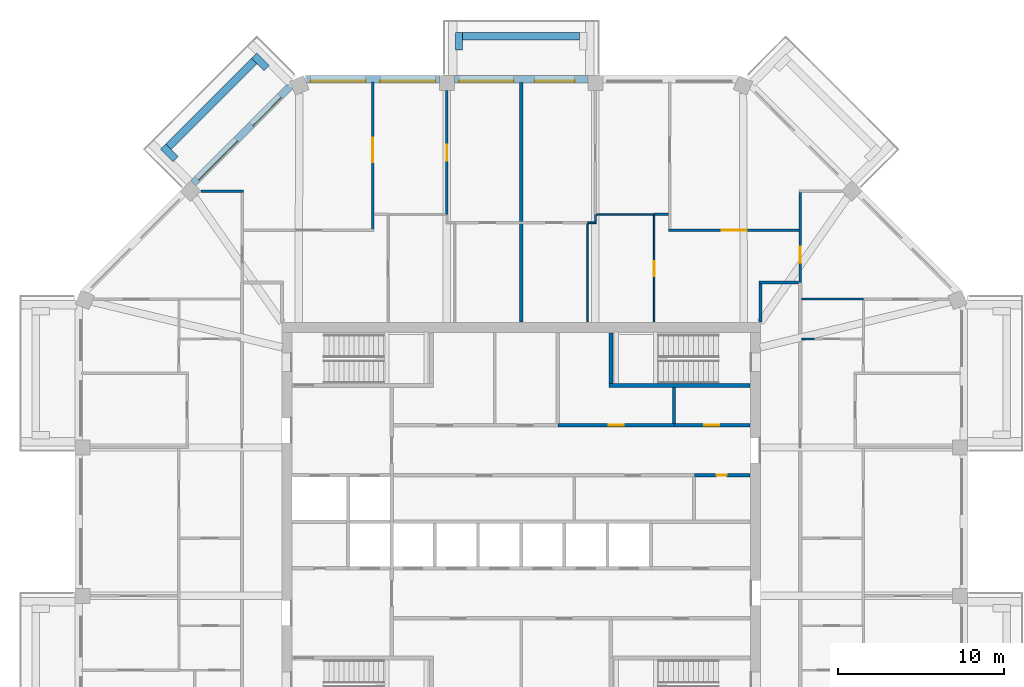
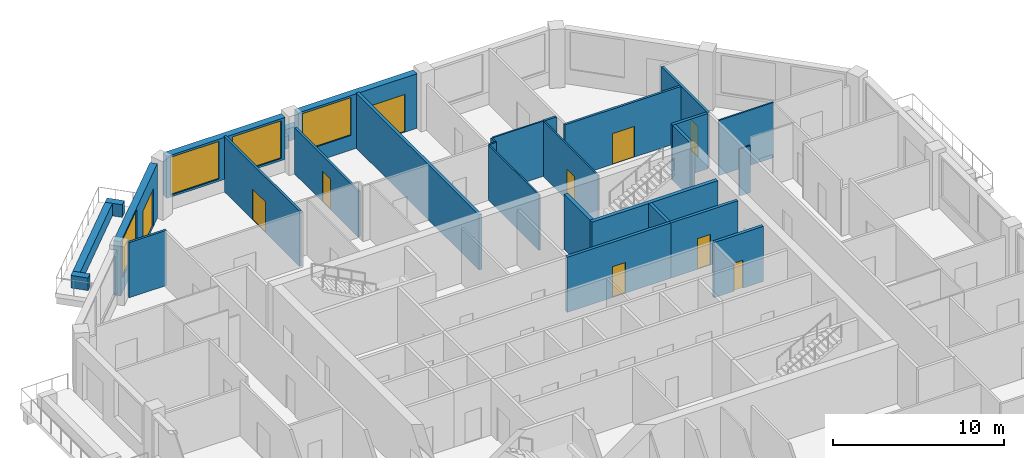
# One storey, part 8 of 12: 30 walls, 10 doors, 4 windows, 14 openings.
"""IFC4 building model written with IfcOpenShell, lengths in metres."""

from ifc_helpers import new_model, si_unit, direction, frame, frame_2d, origin, place, context, subcontext, project, spatial, rectangle, extrude, material, layer, layer_set, type_object, element, fill, save


model = new_model("IFC4")

# Units and contexts
model_context = context("Model", 3, precision=1e-05, world=origin(), true_north=direction((0.0, 1.0)))
body_context = subcontext(model_context, "Body", "Model", "MODEL_VIEW")
ifc_project = project(units=[si_unit("LENGTHUNIT", "METRE"), si_unit("AREAUNIT", "SQUARE_METRE"), si_unit("VOLUMEUNIT", "CUBIC_METRE"), si_unit("PLANEANGLEUNIT", "RADIAN"), si_unit("MASSUNIT", "GRAM", prefix="KILO")], contexts=[model_context])

# Site, building, storey
site_placement = place(None, origin())
site = spatial("IfcSite", under=ifc_project, at=site_placement, CompositionType="ELEMENT")
building_placement = place(site_placement, origin())
building = spatial("IfcBuilding", under=site, at=building_placement, Name="Msitu Wima Residences", CompositionType="ELEMENT")
storey_placement = place(building_placement, frame((0.0, 0.0, 239.10009765625)))
storey = spatial("IfcBuildingStorey", under=building, at=storey_placement, Name="L55", CompositionType="ELEMENT", Elevation=239.10009765625)

# Walls
ifc_material_1 = material(Name="Facing brick")
ifc_layer_1 = layer(ifc_material_1, 0.06494140625, Name="Facing brick")
ifc_material_2 = material(Name="Concrete C40/50", Category="concrete")
ifc_layer_2 = layer(ifc_material_2, 0.156005859375, Name="Concrete C40/50")
ifc_material_3 = material(Name="Waterproofing membrane")
ifc_layer_3 = layer(ifc_material_3, 0.00390625, Name="Waterproofing membrane")
ifc_material_4 = material(Name="Planting soil and planting")
ifc_layer_4 = layer(ifc_material_4, 0.22509765625, Name="Planting soil and planting")
ifc_layer_set_1 = layer_set([ifc_layer_1, ifc_layer_2, ifc_layer_3, ifc_layer_4], Name="Concrete C40/50")
wall_type_1 = type_object("IfcWallType", Name="Balcony planter PLANTER PL450", PredefinedType="USERDEFINED", material=ifc_layer_set_1)
wall_1_placement = place(storey_placement, frame((3.5185546875, 29.22509765625, 0.0), z_axis=(0.0, 0.0, 1.0), x_axis=(-1.0, 0.0, 0.0)))
element("IfcWall", 1, at=wall_1_placement, inside=storey, type_object=wall_type_1, Name="Balcony planter N1 L55", ObjectType="PLANTER", PredefinedType="USERDEFINED", context=body_context, shape_type="SweptSolid", body=[
    extrude(rectangle(XDim=7.037109375, YDim=0.449951171875, at=frame_2d((3.5185546875, 0.0))), origin(), (0.0, 0.0, 1.0), 0.89990234375),
])
wall_2_placement = place(storey_placement, frame((-3.74365234375, 28.39990234375, 0.0), z_axis=(0.0, 0.0, 1.0), x_axis=(0.0, 1.0, 0.0)))
element("IfcWall", 2, at=wall_2_placement, inside=storey, type_object=wall_type_1, Name="Balcony planter N1 L55", ObjectType="PLANTER", PredefinedType="USERDEFINED", context=body_context, shape_type="SweptSolid", body=[
    extrude(rectangle(XDim=1.050048828125, YDim=0.449951171875, at=frame_2d((0.52490234375, 0.0))), origin(), (0.0, 0.0, 1.0), 0.89990234375),
])
wall_3_placement = place(storey_placement, frame((-16.0751953125, 27.725830078125, 0.0), z_axis=(0.0, 0.0, 1.0), x_axis=(-0.707106781187, -0.707106781187, 0.0)))
element("IfcWall", 3, at=wall_3_placement, inside=storey, type_object=wall_type_1, Name="Balcony planter NW0 L55", ObjectType="PLANTER", PredefinedType="USERDEFINED", context=body_context, shape_type="SweptSolid", body=[
    extrude(rectangle(XDim=7.288330078125, YDim=0.449951171875, at=frame_2d((3.64404296875, 0.0))), origin(), (0.0, 0.0, 1.0), 0.89990234375),
])
for number, where, z_axis, x_axis, name in (
    (4, (-15.332763671875, 27.301513671875, 0.0), (0.0, 0.0, 1.0), (-0.707106781187, 0.707106781187, 0.0), "Balcony planter NW0 L55"),
    (5, (-20.804443359375, 21.829833984375, 0.0), (0.0, 0.0, 1.0), (-0.707106781187, 0.707106781187, 0.0), "Balcony planter NW0 L55"),
):
    element("IfcWall", number, at=place(storey_placement, frame(where, z_axis=z_axis, x_axis=x_axis)), inside=storey, type_object=wall_type_1, Name=name, ObjectType="PLANTER", PredefinedType="USERDEFINED", context=body_context, shape_type="SweptSolid", body=[
        extrude(rectangle(XDim=1.050048828125, YDim=0.449951171875, at=frame_2d((0.52490234375, 0.0))), origin(), (0.0, 0.0, 1.0), 0.89990234375),
    ])

# Wall, openings, door, window
ifc_material_5 = material(Name="Brick (red buff mix)", Category="masonry")
ifc_layer_5 = layer(ifc_material_5, 0.449951171875)
ifc_layer_set_2 = layer_set([ifc_layer_5], Name="Brick (red buff mix)")
wall_type_2 = type_object("IfcWallType", Name="Brick infill wall BW450", PredefinedType="SOLIDWALL", material=ifc_layer_set_2)
wall_4_placement = place(storey_placement, frame((4.0185546875, 26.625, 0.0), z_axis=(0.0, 0.0, 1.0), x_axis=(-1.0, 0.0, 0.0)))
wall_4 = element("IfcWall", 6, at=wall_4_placement, inside=storey, type_object=wall_type_2, Name="Brick infill wall L55 N1", PredefinedType="SOLIDWALL", context=body_context, shape_type="SweptSolid", body=[
    extrude(rectangle(XDim=8.037109375, YDim=0.449951171875, at=frame_2d((4.0185546875, 0.0))), origin(), (0.0, 0.0, 1.0), 3.89990234375),
])
opening_1_placement = place(wall_4_placement, frame((0.809326171875, 0.0, 0.0)))
opening_1 = element("IfcOpeningElement", 7, at=opening_1_placement, cuts=wall_4, Name="Opening D55-56.003", PredefinedType="OPENING", context=body_context, shape_type="SweptSolid", body=[
    extrude(rectangle(XDim=2.39990234375, YDim=2.699951171875, at=frame_2d((1.199951171875, 1.35009765625))), frame((0.0, 0.23486328125, 0.0), z_axis=(0.0, -1.0, 0.0), x_axis=(1.0, 0.0, 0.0)), (0.0, 0.0, 1.0), 0.469970703125),
])
opening_2_placement = place(wall_4_placement, frame((4.46875, 0.0, 1.050048828125)))
opening_2 = element("IfcOpeningElement", 8, at=opening_2_placement, cuts=wall_4, Name="Opening W55-56.007", PredefinedType="OPENING", context=body_context, shape_type="SweptSolid", body=[
    extrude(rectangle(XDim=3.300048828125, YDim=2.699951171875, at=frame_2d((1.64990234375, 1.35009765625))), frame((0.0, 0.23486328125, 0.0), z_axis=(0.0, -1.0, 0.0), x_axis=(1.0, 0.0, 0.0)), (0.0, 0.0, 1.0), 0.469970703125),
])
ifc_material_6 = material(Name="Anodised aluminium, bronze finish, clear low-emissivity double glazing", Category="aluminium")
door_type_1 = type_object("IfcDoorType", Name="Balcony door D2400x2700", OperationType="SLIDING_TO_LEFT", PredefinedType="DOOR", material=ifc_material_6)
door_1_placement = place(opening_1_placement, origin())
door_1 = element("IfcDoor", 9, at=door_1_placement, inside=storey, type_object=door_type_1, Name="Balcony door L55 N1", OperationType="SINGLE_SWING_LEFT", OverallHeight=2.699951171875, OverallWidth=2.39990234375, PredefinedType="DOOR", context=body_context, shape_type="SweptSolid", body=[
    extrude(rectangle(XDim=2.39990234375, YDim=2.699951171875, at=frame_2d((1.199951171875, 1.35009765625))), frame((0.0, 0.1298828125, 0.0), z_axis=(0.0, -1.0, 0.0), x_axis=(1.0, 0.0, 0.0)), (0.0, 0.0, 1.0), 0.050048828125),
])
fill(opening_1, door_1)
window_type = type_object("IfcWindowType", Name="Window W3300x2700", PartitioningType="DOUBLE_PANEL_VERTICAL", PredefinedType="WINDOW", material=ifc_material_6)
window_1_placement = place(opening_2_placement, origin())
window_1 = element("IfcWindow", 10, at=window_1_placement, inside=storey, type_object=window_type, Name="Window L55 N1.2", OverallHeight=2.699951171875, OverallWidth=3.300048828125, PartitioningType="SINGLE_PANEL", PredefinedType="WINDOW", context=body_context, shape_type="SweptSolid", body=[
    extrude(rectangle(XDim=3.300048828125, YDim=2.699951171875, at=frame_2d((1.64990234375, 1.35009765625))), frame((0.0, 0.135009765625, 0.0), z_axis=(0.0, -1.0, 0.0), x_axis=(1.0, 0.0, 0.0)), (0.0, 0.0, 1.0), 0.06005859375),
])
fill(opening_2, window_1)

# Wall, openings, windows
wall_5_placement = place(storey_placement, frame((-4.918701171875, 26.625, 0.89990234375), z_axis=(0.0, 0.0, 1.0), x_axis=(-1.0, 0.0, 0.0)))
wall_5 = element("IfcWall", 11, at=wall_5_placement, inside=storey, type_object=wall_type_2, Name="Brick infill wall L55 N2", PredefinedType="SOLIDWALL", context=body_context, shape_type="SweptSolid", body=[
    extrude(rectangle(XDim=8.0, YDim=0.449951171875, at=frame_2d((4.0, 0.0))), origin(), (0.0, 0.0, 1.0), 3.0),
])
opening_3_placement = place(wall_5_placement, frame((0.25, 0.0, 0.14990234375)))
opening_3 = element("IfcOpeningElement", 12, at=opening_3_placement, cuts=wall_5, Name="Opening W55-56.008", PredefinedType="OPENING", context=body_context, shape_type="SweptSolid", body=[
    extrude(rectangle(XDim=3.300048828125, YDim=2.699951171875, at=frame_2d((1.64990234375, 1.35009765625))), frame((0.0, 0.23486328125, 0.0), z_axis=(0.0, -1.0, 0.0), x_axis=(1.0, 0.0, 0.0)), (0.0, 0.0, 1.0), 0.469970703125),
])
opening_4_placement = place(wall_5_placement, frame((4.4501953125, 0.0, 0.14990234375)))
opening_4 = element("IfcOpeningElement", 13, at=opening_4_placement, cuts=wall_5, Name="Opening W55-56.009", PredefinedType="OPENING", context=body_context, shape_type="SweptSolid", body=[
    extrude(rectangle(XDim=3.300048828125, YDim=2.699951171875, at=frame_2d((1.64990234375, 1.35009765625))), frame((0.0, 0.23486328125, 0.0), z_axis=(0.0, -1.0, 0.0), x_axis=(1.0, 0.0, 0.0)), (0.0, 0.0, 1.0), 0.469970703125),
])
window_2_placement = place(opening_3_placement, origin())
window_2 = element("IfcWindow", 14, at=window_2_placement, inside=storey, type_object=window_type, Name="Window L55 N2.1", OverallHeight=2.699951171875, OverallWidth=3.300048828125, PartitioningType="SINGLE_PANEL", PredefinedType="WINDOW", context=body_context, shape_type="SweptSolid", body=[
    extrude(rectangle(XDim=3.300048828125, YDim=2.699951171875, at=frame_2d((1.64990234375, 1.35009765625))), frame((0.0, 0.135009765625, 0.0), z_axis=(0.0, -1.0, 0.0), x_axis=(1.0, 0.0, 0.0)), (0.0, 0.0, 1.0), 0.06005859375),
])
fill(opening_3, window_2)
window_3_placement = place(opening_4_placement, origin())
window_3 = element("IfcWindow", 15, at=window_3_placement, inside=storey, type_object=window_type, Name="Window L55 N2.2", OverallHeight=2.699951171875, OverallWidth=3.300048828125, PartitioningType="SINGLE_PANEL", PredefinedType="WINDOW", context=body_context, shape_type="SweptSolid", body=[
    extrude(rectangle(XDim=3.300048828125, YDim=2.699951171875, at=frame_2d((1.64990234375, 1.35009765625))), frame((0.0, 0.135009765625, 0.0), z_axis=(0.0, -1.0, 0.0), x_axis=(1.0, 0.0, 0.0)), (0.0, 0.0, 1.0), 0.06005859375),
])
fill(opening_4, window_3)

# Wall, openings, door, window
wall_6_placement = place(storey_placement, frame((-13.909423828125, 26.214599609375, 0.0), z_axis=(0.0, 0.0, 1.0), x_axis=(-0.707106781187, -0.707106781187, 0.0)))
wall_6 = element("IfcWall", 16, at=wall_6_placement, inside=storey, type_object=wall_type_2, Name="Brick infill wall L55 NW0", PredefinedType="SOLIDWALL", context=body_context, shape_type="SweptSolid", body=[
    extrude(rectangle(XDim=8.251220703125, YDim=0.449951171875, at=frame_2d((4.12548828125, 0.0))), origin(), (0.0, 0.0, 1.0), 3.89990234375),
])
opening_5_placement = place(wall_6_placement, frame((0.86279296875, 0.0, 0.0)))
opening_5 = element("IfcOpeningElement", 17, at=opening_5_placement, cuts=wall_6, Name="Opening D55-56.005", PredefinedType="OPENING", context=body_context, shape_type="SweptSolid", body=[
    extrude(rectangle(XDim=2.39990234375, YDim=2.699951171875, at=frame_2d((1.199951171875, 1.35009765625))), frame((0.0, 0.23486328125, 0.0), z_axis=(0.0, -1.0, 0.0), x_axis=(1.0, 0.0, 0.0)), (0.0, 0.0, 1.0), 0.469970703125),
])
opening_6_placement = place(wall_6_placement, frame((4.57568359375, 0.0, 1.050048828125)))
opening_6 = element("IfcOpeningElement", 18, at=opening_6_placement, cuts=wall_6, Name="Opening W55-56.013", PredefinedType="OPENING", context=body_context, shape_type="SweptSolid", body=[
    extrude(rectangle(XDim=3.300048828125, YDim=2.699951171875, at=frame_2d((1.64990234375, 1.35009765625))), frame((0.0, 0.23486328125, 0.0), z_axis=(0.0, -1.0, 0.0), x_axis=(1.0, 0.0, 0.0)), (0.0, 0.0, 1.0), 0.469970703125),
])
door_2_placement = place(opening_5_placement, origin())
door_2 = element("IfcDoor", 19, at=door_2_placement, inside=storey, type_object=door_type_1, Name="Balcony door L55 NW0", OperationType="SINGLE_SWING_LEFT", OverallHeight=2.699951171875, OverallWidth=2.39990234375, PredefinedType="DOOR", context=body_context, shape_type="SweptSolid", body=[
    extrude(rectangle(XDim=2.39990234375, YDim=2.699951171875, at=frame_2d((1.199951171875, 1.35009765625))), frame((0.0, 0.1298828125, 0.0), z_axis=(0.0, -1.0, 0.0), x_axis=(1.0, 0.0, 0.0)), (0.0, 0.0, 1.0), 0.050048828125),
])
fill(opening_5, door_2)
window_4_placement = place(opening_6_placement, origin())
window_4 = element("IfcWindow", 20, at=window_4_placement, inside=storey, type_object=window_type, Name="Window L55 NW0.2", OverallHeight=2.699951171875, OverallWidth=3.300048828125, PartitioningType="SINGLE_PANEL", PredefinedType="WINDOW", context=body_context, shape_type="SweptSolid", body=[
    extrude(rectangle(XDim=3.300048828125, YDim=2.699951171875, at=frame_2d((1.64990234375, 1.35009765625))), frame((0.0, 0.135009765625, 0.0), z_axis=(0.0, -1.0, 0.0), x_axis=(1.0, 0.0, 0.0)), (0.0, 0.0, 1.0), 0.06005859375),
])
fill(opening_6, window_4)

# Wall, opening, door
ifc_material_7 = material(Name="Plaster")
ifc_layer_6 = layer(ifc_material_7, 0.011962890625, Name="Plaster")
ifc_material_8 = material(Name="Concrete blockwork", Category="masonry")
ifc_layer_7 = layer(ifc_material_8, 0.176025390625, Name="Concrete blockwork")
ifc_layer_8 = layer(ifc_material_7, 0.011962890625, Name="Plaster")
ifc_layer_set_3 = layer_set([ifc_layer_6, ifc_layer_7, ifc_layer_8], Name="Concrete blockwork")
wall_type_3 = type_object("IfcWallType", Name="Corridor wall FW200", PredefinedType="PARTITIONING", material=ifc_layer_set_3)
wall_7_placement = place(storey_placement, frame((9.219970703125, 5.800048828125, 0.0), z_axis=(0.0, 0.0, 1.0), x_axis=(1.0, 0.0, 0.0)))
wall_7 = element("IfcWall", 21, at=wall_7_placement, inside=storey, type_object=wall_type_3, Name="Corridor wall", PredefinedType="PARTITIONING", context=body_context, shape_type="SweptSolid", body=[
    extrude(rectangle(XDim=4.550048828125, YDim=0.199951171875, at=frame_2d((2.27490234375, 0.0))), origin(), (0.0, 0.0, 1.0), 3.949951171875),
])
opening_7_placement = place(wall_7_placement, frame((1.800048828125, 0.0, 0.0)))
opening_7 = element("IfcOpeningElement", 22, at=opening_7_placement, cuts=wall_7, Name="Opening D55-56.067", PredefinedType="OPENING", context=body_context, shape_type="SweptSolid", body=[
    extrude(rectangle(XDim=0.89990234375, YDim=2.199951171875, at=frame_2d((0.449951171875, 1.10009765625))), frame((0.0, 0.10986328125, 0.0), z_axis=(0.0, -1.0, 0.0), x_axis=(1.0, 0.0, 0.0)), (0.0, 0.0, 1.0), 0.219970703125),
])
ifc_material_9 = material(Name="Timber flush door", Category="wood")
door_type_2 = type_object("IfcDoorType", Name="Service door D05 900x2200", OperationType="SINGLE_SWING_LEFT", PredefinedType="DOOR", material=ifc_material_9)
door_3_placement = place(opening_7_placement, origin())
door_3 = element("IfcDoor", 23, at=door_3_placement, inside=storey, type_object=door_type_2, Name="Service door", OperationType="SINGLE_SWING_LEFT", OverallHeight=2.199951171875, OverallWidth=0.89990234375, PredefinedType="DOOR", context=body_context, shape_type="SweptSolid", body=[
    extrude(rectangle(XDim=0.89990234375, YDim=2.199951171875, at=frame_2d((0.449951171875, 1.10009765625))), frame((0.0, 0.02490234375, 0.0), z_axis=(0.0, -1.0, 0.0), x_axis=(1.0, 0.0, 0.0)), (0.0, 0.0, 1.0), 0.050048828125),
])
fill(opening_7, door_3)

# Walls
wall_8_placement = place(storey_placement, frame((14.39990234375, 12.030029296875, 0.0), z_axis=(0.0, 0.0, 1.0), x_axis=(0.0, 1.0, 0.0)))
element("IfcWall", 24, at=wall_8_placement, inside=storey, type_object=wall_type_3, Name="Corridor wall", PredefinedType="PARTITIONING", context=body_context, shape_type="SweptSolid", body=[
    extrude(rectangle(XDim=2.27001953125, YDim=0.199951171875, at=frame_2d((1.135009765625, 0.0))), origin(), (0.0, 0.0, 1.0), 3.949951171875),
])
wall_9_placement = place(storey_placement, frame((14.300048828125, 14.39990234375, 0.0), z_axis=(0.0, 0.0, 1.0), x_axis=(1.0, 0.0, 0.0)))
element("IfcWall", 25, at=wall_9_placement, inside=storey, type_object=wall_type_3, Name="Corridor wall", PredefinedType="PARTITIONING", context=body_context, shape_type="SweptSolid", body=[
    extrude(rectangle(XDim=2.39990234375, YDim=0.199951171875, at=frame_2d((1.199951171875, 0.0))), origin(), (0.0, 0.0, 1.0), 3.949951171875),
])
ifc_layer_9 = layer(ifc_material_7, 0.011962890625, Name="Plaster")
ifc_layer_10 = layer(ifc_material_8, 0.1259765625, Name="Concrete blockwork")
ifc_layer_11 = layer(ifc_material_7, 0.011962890625, Name="Plaster")
ifc_layer_set_4 = layer_set([ifc_layer_9, ifc_layer_10, ifc_layer_11], Name="Concrete blockwork")
wall_type_4 = type_object("IfcWallType", Name="Partition PW150", PredefinedType="PARTITIONING", material=ifc_layer_set_4)
wall_10_placement = place(storey_placement, frame((-19.2666015625, 19.90283203125, 0.0), z_axis=(0.0, 0.0, 1.0), x_axis=(1.0, 0.0, 0.0)))
element("IfcWall", 26, at=wall_10_placement, inside=storey, type_object=wall_type_4, Name="Partition", PredefinedType="PARTITIONING", context=body_context, shape_type="SweptSolid", body=[
    extrude(rectangle(XDim=2.54150390625, YDim=0.14990234375, at=frame_2d((1.270751953125, 0.0))), origin(), (0.0, 0.0, 1.0), 3.949951171875),
])

# Wall, opening, door
wall_11_placement = place(storey_placement, frame((-8.937255859375, 17.625, 0.0), z_axis=(0.0, 0.0, 1.0), x_axis=(0.0, 1.0, 0.0)))
wall_11 = element("IfcWall", 27, at=wall_11_placement, inside=storey, type_object=wall_type_4, Name="Partition", PredefinedType="PARTITIONING", context=body_context, shape_type="SweptSolid", body=[
    extrude(rectangle(XDim=8.830078125, YDim=0.14990234375, at=frame_2d((4.4150390625, 0.0))), origin(), (0.0, 0.0, 1.0), 3.949951171875),
])
opening_8_placement = place(wall_11_placement, frame((4.0, 0.0, 0.0)))
opening_8 = element("IfcOpeningElement", 28, at=opening_8_placement, cuts=wall_11, Name="Opening D55-56.039", PredefinedType="OPENING", context=body_context, shape_type="SweptSolid", body=[
    extrude(rectangle(XDim=1.5, YDim=2.199951171875, at=frame_2d((0.75, 1.10009765625))), frame((0.0, 0.0849609375, 0.0), z_axis=(0.0, -1.0, 0.0), x_axis=(1.0, 0.0, 0.0)), (0.0, 0.0, 1.0), 0.169921875),
])
ifc_material_10 = material(Name="Timber double door", Category="wood")
door_type_3 = type_object("IfcDoorType", Name="Double door D04 1500x2200", OperationType="DOUBLE_DOOR_SINGLE_SWING", PredefinedType="DOOR", material=ifc_material_10)
door_4_placement = place(opening_8_placement, origin())
door_4 = element("IfcDoor", 29, at=door_4_placement, inside=storey, type_object=door_type_3, Name="Double door", OperationType="DOUBLE_DOOR_SINGLE_SWING", OverallHeight=2.199951171875, OverallWidth=1.5, PredefinedType="DOOR", context=body_context, shape_type="SweptSolid", body=[
    extrude(rectangle(XDim=1.5, YDim=2.199951171875, at=frame_2d((0.75, 1.10009765625))), frame((0.0, 0.02490234375, 0.0), z_axis=(0.0, -1.0, 0.0), x_axis=(1.0, 0.0, 0.0)), (0.0, 0.0, 1.0), 0.050048828125),
])
fill(opening_8, door_4)

wall_12_placement = place(storey_placement, frame((-4.46875, 18.47998046875, 0.0), z_axis=(0.0, 0.0, 1.0), x_axis=(0.0, 1.0, 0.0)))
wall_12 = element("IfcWall", 30, at=wall_12_placement, inside=storey, type_object=wall_type_4, Name="Partition", PredefinedType="PARTITIONING", context=body_context, shape_type="SweptSolid", body=[
    extrude(rectangle(XDim=7.469970703125, YDim=0.14990234375, at=frame_2d((3.73486328125, 0.0))), origin(), (0.0, 0.0, 1.0), 3.2998046875),
])
opening_9_placement = place(wall_12_placement, frame((3.25, 0.0, 0.0)))
opening_9 = element("IfcOpeningElement", 31, at=opening_9_placement, cuts=wall_12, Name="Opening D55-56.042", PredefinedType="OPENING", context=body_context, shape_type="SweptSolid", body=[
    extrude(rectangle(XDim=0.949951171875, YDim=2.199951171875, at=frame_2d((0.47509765625, 1.10009765625))), frame((0.0, 0.0849609375, 0.0), z_axis=(0.0, -1.0, 0.0), x_axis=(1.0, 0.0, 0.0)), (0.0, 0.0, 1.0), 0.169921875),
])
door_type_4 = type_object("IfcDoorType", Name="Room door D12 950x2200", OperationType="SINGLE_SWING_LEFT", PredefinedType="DOOR", material=ifc_material_9)
door_5_placement = place(opening_9_placement, origin())
door_5 = element("IfcDoor", 32, at=door_5_placement, inside=storey, type_object=door_type_4, Name="Room door", OperationType="SINGLE_SWING_RIGHT", OverallHeight=2.199951171875, OverallWidth=0.949951171875, PredefinedType="DOOR", context=body_context, shape_type="SweptSolid", body=[
    extrude(rectangle(XDim=0.949951171875, YDim=2.199951171875, at=frame_2d((0.47509765625, 1.10009765625))), frame((0.0, 0.02490234375, 0.0), z_axis=(0.0, -1.0, 0.0), x_axis=(1.0, 0.0, 0.0)), (0.0, 0.0, 1.0), 0.050048828125),
])
fill(opening_9, door_5)

# Wall
wall_13_placement = place(storey_placement, frame((8.0, 18.5, 0.0), z_axis=(0.0, 0.0, 1.0), x_axis=(1.0, 0.0, 0.0)))
element("IfcWall", 33, at=wall_13_placement, inside=storey, type_object=wall_type_4, Name="Partition", PredefinedType="PARTITIONING", context=body_context, shape_type="SweptSolid", body=[
    extrude(rectangle(XDim=0.8623046875, YDim=0.14990234375, at=frame_2d((0.43115234375, 0.0))), origin(), (0.0, 0.0, 1.0), 3.949951171875),
])

# Wall, opening, door
wall_14_placement = place(storey_placement, frame((8.8623046875, 17.550048828125, 0.0), z_axis=(0.0, 0.0, 1.0), x_axis=(1.0, 0.0, 0.0)))
wall_14 = element("IfcWall", 34, at=wall_14_placement, inside=storey, type_object=wall_type_4, Name="Partition", PredefinedType="PARTITIONING", context=body_context, shape_type="SweptSolid", body=[
    extrude(rectangle(XDim=7.86279296875, YDim=0.14990234375, at=frame_2d((3.931396484375, 0.0))), origin(), (0.0, 0.0, 1.0), 3.949951171875),
])
opening_10_placement = place(wall_14_placement, frame((3.199951171875, 0.0, 0.0)))
opening_10 = element("IfcOpeningElement", 35, at=opening_10_placement, cuts=wall_14, Name="Opening D55-56.033", PredefinedType="OPENING", context=body_context, shape_type="SweptSolid", body=[
    extrude(rectangle(XDim=1.5, YDim=2.199951171875, at=frame_2d((0.75, 1.10009765625))), frame((0.0, 0.0849609375, 0.0), z_axis=(0.0, -1.0, 0.0), x_axis=(1.0, 0.0, 0.0)), (0.0, 0.0, 1.0), 0.169921875),
])
door_6_placement = place(opening_10_placement, origin())
door_6 = element("IfcDoor", 36, at=door_6_placement, inside=storey, type_object=door_type_3, Name="Double door", OperationType="DOUBLE_DOOR_SINGLE_SWING", OverallHeight=2.199951171875, OverallWidth=1.5, PredefinedType="DOOR", context=body_context, shape_type="SweptSolid", body=[
    extrude(rectangle(XDim=1.5, YDim=2.199951171875, at=frame_2d((0.75, 1.10009765625))), frame((0.0, 0.02490234375, 0.0), z_axis=(0.0, -1.0, 0.0), x_axis=(1.0, 0.0, 0.0)), (0.0, 0.0, 1.0), 0.050048828125),
])
fill(opening_10, door_6)

wall_15_placement = place(storey_placement, frame((16.800048828125, 14.39990234375, 0.0), z_axis=(0.0, 0.0, 1.0), x_axis=(0.0, 1.0, 0.0)))
wall_15 = element("IfcWall", 37, at=wall_15_placement, inside=storey, type_object=wall_type_4, Name="Partition", PredefinedType="PARTITIONING", context=body_context, shape_type="SweptSolid", body=[
    extrude(rectangle(XDim=5.427978515625, YDim=0.14990234375, at=frame_2d((2.7138671875, 0.0))), origin(), (0.0, 0.0, 1.0), 3.949951171875),
])
opening_11_placement = place(wall_15_placement, frame((1.199951171875, 0.0, 0.0)))
opening_11 = element("IfcOpeningElement", 38, at=opening_11_placement, cuts=wall_15, Name="Opening D55-56.032", PredefinedType="OPENING", context=body_context, shape_type="SweptSolid", body=[
    extrude(rectangle(XDim=0.949951171875, YDim=2.199951171875, at=frame_2d((0.47509765625, 1.10009765625))), frame((0.0, 0.0849609375, 0.0), z_axis=(0.0, -1.0, 0.0), x_axis=(1.0, 0.0, 0.0)), (0.0, 0.0, 1.0), 0.169921875),
])
door_7_placement = place(opening_11_placement, origin())
door_7 = element("IfcDoor", 39, at=door_7_placement, inside=storey, type_object=door_type_4, Name="Room door", OperationType="SINGLE_SWING_RIGHT", OverallHeight=2.199951171875, OverallWidth=0.949951171875, PredefinedType="DOOR", context=body_context, shape_type="SweptSolid", body=[
    extrude(rectangle(XDim=0.949951171875, YDim=2.199951171875, at=frame_2d((0.47509765625, 1.10009765625))), frame((0.0, 0.02490234375, 0.0), z_axis=(0.0, -1.0, 0.0), x_axis=(1.0, 0.0, 0.0)), (0.0, 0.0, 1.0), 0.050048828125),
])
fill(opening_11, door_7)

# Wall
ifc_layer_12 = layer(ifc_material_7, 0.011962890625, Name="Plaster")
ifc_material_11 = material(Name="Dense concrete blockwork", Category="masonry")
ifc_layer_13 = layer(ifc_material_11, 0.176025390625, Name="Dense concrete blockwork")
ifc_layer_14 = layer(ifc_material_7, 0.011962890625, Name="Plaster")
ifc_layer_set_5 = layer_set([ifc_layer_12, ifc_layer_13, ifc_layer_14], Name="Dense concrete blockwork")
wall_type_5 = type_object("IfcWallType", Name="Party wall PW200", PredefinedType="PARTITIONING", material=ifc_layer_set_5)
wall_16_placement = place(storey_placement, frame((0.0, 12.030029296875, 0.0), z_axis=(0.0, 0.0, 1.0), x_axis=(0.0, 1.0, 0.0)))
element("IfcWall", 40, at=wall_16_placement, inside=storey, type_object=wall_type_5, Name="Party wall", PredefinedType="PARTITIONING", context=body_context, shape_type="SweptSolid", body=[
    extrude(rectangle(XDim=14.39501953125, YDim=0.199951171875, at=frame_2d((7.197509765625, 0.0))), origin(), (0.0, 0.0, 1.0), 3.949951171875),
])

# Wall, opening, door
ifc_layer_15 = layer(ifc_material_7, 0.011962890625, Name="Plaster")
ifc_material_12 = material(Name="Reinforced concrete blockwork", Category="masonry")
ifc_layer_16 = layer(ifc_material_12, 0.176025390625, Name="Reinforced concrete blockwork")
ifc_layer_17 = layer(ifc_material_7, 0.011962890625, Name="Plaster")
ifc_layer_set_6 = layer_set([ifc_layer_15, ifc_layer_16, ifc_layer_17], Name="Reinforced concrete blockwork")
wall_type_6 = type_object("IfcWallType", Name="Plant and riser wall PL200", PredefinedType="PARTITIONING", material=ifc_layer_set_6)
wall_17_placement = place(storey_placement, frame((2.219970703125, 5.800048828125, 0.0), z_axis=(0.0, 0.0, 1.0), x_axis=(1.0, 0.0, 0.0)))
wall_17 = element("IfcWall", 41, at=wall_17_placement, inside=storey, type_object=wall_type_6, Name="Plant and riser wall", PredefinedType="PARTITIONING", context=body_context, shape_type="SweptSolid", body=[
    extrude(rectangle(XDim=7.0, YDim=0.199951171875, at=frame_2d((3.5, 0.0))), origin(), (0.0, 0.0, 1.0), 3.949951171875),
])
opening_12_placement = place(wall_17_placement, frame((3.050048828125, 0.0, 0.0)))
opening_12 = element("IfcOpeningElement", 42, at=opening_12_placement, cuts=wall_17, Name="Opening D55-56.066", PredefinedType="OPENING", context=body_context, shape_type="SweptSolid", body=[
    extrude(rectangle(XDim=0.89990234375, YDim=2.199951171875, at=frame_2d((0.449951171875, 1.10009765625))), frame((0.0, 0.10986328125, 0.0), z_axis=(0.0, -1.0, 0.0), x_axis=(1.0, 0.0, 0.0)), (0.0, 0.0, 1.0), 0.219970703125),
])
door_8_placement = place(opening_12_placement, origin())
door_8 = element("IfcDoor", 43, at=door_8_placement, inside=storey, type_object=door_type_2, Name="Service door", OperationType="SINGLE_SWING_RIGHT", OverallHeight=2.199951171875, OverallWidth=0.89990234375, PredefinedType="DOOR", context=body_context, shape_type="SweptSolid", body=[
    extrude(rectangle(XDim=0.89990234375, YDim=2.199951171875, at=frame_2d((0.449951171875, 1.10009765625))), frame((0.0, 0.02490234375, 0.0), z_axis=(0.0, -1.0, 0.0), x_axis=(1.0, 0.0, 0.0)), (0.0, 0.0, 1.0), 0.050048828125),
])
fill(opening_12, door_8)

# Wall
wall_18_placement = place(storey_placement, frame((9.199951171875, 5.89990234375, 0.0), z_axis=(0.0, 0.0, 1.0), x_axis=(0.0, 1.0, 0.0)))
element("IfcWall", 44, at=wall_18_placement, inside=storey, type_object=wall_type_6, Name="Plant and riser wall", PredefinedType="PARTITIONING", context=body_context, shape_type="SweptSolid", body=[
    extrude(rectangle(XDim=2.175048828125, YDim=0.199951171875, at=frame_2d((1.08740234375, 0.0))), origin(), (0.0, 0.0, 1.0), 3.949951171875),
])

# Wall, opening, door
wall_19_placement = place(storey_placement, frame((10.419921875, 2.800048828125, 0.0), z_axis=(0.0, 0.0, 1.0), x_axis=(1.0, 0.0, 0.0)))
wall_19 = element("IfcWall", 45, at=wall_19_placement, inside=storey, type_object=wall_type_6, Name="Plant and riser wall", PredefinedType="PARTITIONING", context=body_context, shape_type="SweptSolid", body=[
    extrude(rectangle(XDim=3.35009765625, YDim=0.199951171875, at=frame_2d((1.675048828125, 0.0))), origin(), (0.0, 0.0, 1.0), 3.949951171875),
])
opening_13_placement = place(wall_19_placement, frame((1.35009765625, 0.0, 0.0)))
opening_13 = element("IfcOpeningElement", 46, at=opening_13_placement, cuts=wall_19, Name="Opening D55-56.075", PredefinedType="OPENING", context=body_context, shape_type="SweptSolid", body=[
    extrude(rectangle(XDim=0.60009765625, YDim=2.0, at=frame_2d((0.300048828125, 1.0))), frame((0.0, 0.10986328125, 0.0), z_axis=(0.0, -1.0, 0.0), x_axis=(1.0, 0.0, 0.0)), (0.0, 0.0, 1.0), 0.219970703125),
])
ifc_material_13 = material(Name="Steel access door, fire resisting", Category="steel")
door_type_5 = type_object("IfcDoorType", Name="Riser access door D08 600x2000", OperationType="SINGLE_SWING_LEFT", PredefinedType="DOOR", material=ifc_material_13)
door_9_placement = place(opening_13_placement, origin())
door_9 = element("IfcDoor", 47, at=door_9_placement, inside=storey, type_object=door_type_5, Name="Riser access door", OperationType="SINGLE_SWING_RIGHT", OverallHeight=2.0, OverallWidth=0.60009765625, PredefinedType="DOOR", context=body_context, shape_type="SweptSolid", body=[
    extrude(rectangle(XDim=0.60009765625, YDim=2.0, at=frame_2d((0.300048828125, 1.0))), frame((0.0, 0.02490234375, 0.0), z_axis=(0.0, -1.0, 0.0), x_axis=(1.0, 0.0, 0.0)), (0.0, 0.0, 1.0), 0.050048828125),
])
fill(opening_13, door_9)

# Walls
ifc_material_14 = material(Name="Concrete C50/60", Category="concrete")
ifc_layer_18 = layer(ifc_material_14, 0.25)
ifc_layer_set_7 = layer_set([ifc_layer_18], Name="Concrete C50/60")
wall_type_7 = type_object("IfcWallType", Name="Stair enclosure wall SW250", PredefinedType="SHEAR", material=ifc_layer_set_7)
wall_20_placement = place(storey_placement, frame((5.39990234375, 8.324951171875, 0.0), z_axis=(0.0, 0.0, 1.0), x_axis=(0.0, 1.0, 0.0)))
element("IfcWall", 48, at=wall_20_placement, inside=storey, type_object=wall_type_7, Name="Stair enclosure wall", PredefinedType="SHEAR", context=body_context, shape_type="SweptSolid", body=[
    extrude(rectangle(XDim=3.045166015625, YDim=0.25, at=frame_2d((1.5224609375, 0.0))), origin(), (0.0, 0.0, 1.0), 3.949951171875),
])
wall_21_placement = place(storey_placement, frame((5.27490234375, 8.199951171875, 0.0), z_axis=(0.0, 0.0, 1.0), x_axis=(1.0, 0.0, 0.0)))
element("IfcWall", 49, at=wall_21_placement, inside=storey, type_object=wall_type_7, Name="Stair enclosure wall", PredefinedType="SHEAR", context=body_context, shape_type="SweptSolid", body=[
    extrude(rectangle(XDim=8.4951171875, YDim=0.25, at=frame_2d((4.24755859375, 0.0))), origin(), (0.0, 0.0, 1.0), 3.949951171875),
])
ifc_material_15 = material(Name="Ceramic tiles")
ifc_layer_19 = layer(ifc_material_15, 0.008056640625, Name="Ceramic tiles")
ifc_material_16 = material(Name="Moisture-resistant board")
ifc_layer_20 = layer(ifc_material_16, 0.012451171875, Name="Moisture-resistant board")
ifc_material_17 = material(Name="Light-gauge stud framing with mineral wool")
ifc_layer_21 = layer(ifc_material_17, 0.06689453125, Name="Light-gauge stud framing with mineral wool")
ifc_layer_22 = layer(ifc_material_16, 0.012451171875, Name="Moisture-resistant board")
ifc_layer_set_8 = layer_set([ifc_layer_19, ifc_layer_20, ifc_layer_21, ifc_layer_22], Name="Light-gauge stud framing with mineral wool")
wall_type_8 = type_object("IfcWallType", Name="Wet wall PW100", PredefinedType="PARTITIONING", material=ifc_layer_set_8)
wall_22_placement = place(storey_placement, frame((4.0, 18.0, 0.0), z_axis=(0.0, 0.0, 1.0), x_axis=(1.0, 0.0, 0.0)))
element("IfcWall", 50, at=wall_22_placement, inside=storey, type_object=wall_type_8, Name="Wet wall", PredefinedType="PARTITIONING", context=body_context, shape_type="SweptSolid", body=[
    extrude(rectangle(XDim=0.5185546875, YDim=0.10009765625, at=frame_2d((0.25927734375, 0.0))), origin(), (0.0, 0.0, 1.0), 3.949951171875),
])
wall_23_placement = place(storey_placement, frame((4.0, 12.030029296875, 0.0), z_axis=(0.0, 0.0, 1.0), x_axis=(0.0, 1.0, 0.0)))
element("IfcWall", 51, at=wall_23_placement, inside=storey, type_object=wall_type_8, Name="Wet wall", PredefinedType="PARTITIONING", context=body_context, shape_type="SweptSolid", body=[
    extrude(rectangle(XDim=5.89501953125, YDim=0.10009765625, at=frame_2d((2.947509765625, 0.0))), origin(), (0.0, 0.0, 1.0), 3.949951171875),
])
wall_24_placement = place(storey_placement, frame((4.46875, 18.050048828125, 0.0), z_axis=(0.0, 0.0, 1.0), x_axis=(0.0, 1.0, 0.0)))
element("IfcWall", 52, at=wall_24_placement, inside=storey, type_object=wall_type_8, Name="Wet wall", PredefinedType="PARTITIONING", context=body_context, shape_type="SweptSolid", body=[
    extrude(rectangle(XDim=0.429931640625, YDim=0.10009765625, at=frame_2d((0.21484375, 0.0))), origin(), (0.0, 0.0, 1.0), 3.949951171875),
])
wall_25_placement = place(storey_placement, frame((4.543701171875, 18.5, 0.0), z_axis=(0.0, 0.0, 1.0), x_axis=(1.0, 0.0, 0.0)))
element("IfcWall", 53, at=wall_25_placement, inside=storey, type_object=wall_type_8, Name="Wet wall", PredefinedType="PARTITIONING", context=body_context, shape_type="SweptSolid", body=[
    extrude(rectangle(XDim=3.456298828125, YDim=0.10009765625, at=frame_2d((1.72802734375, 0.0))), origin(), (0.0, 0.0, 1.0), 3.949951171875),
])

# Wall, opening, door
wall_26_placement = place(storey_placement, frame((8.0, 12.030029296875, 0.0), z_axis=(0.0, 0.0, 1.0), x_axis=(0.0, 1.0, 0.0)))
wall_26 = element("IfcWall", 54, at=wall_26_placement, inside=storey, type_object=wall_type_8, Name="Wet wall", PredefinedType="PARTITIONING", context=body_context, shape_type="SweptSolid", body=[
    extrude(rectangle(XDim=6.39501953125, YDim=0.10009765625, at=frame_2d((3.197509765625, 0.0))), origin(), (0.0, 0.0, 1.0), 3.949951171875),
])
opening_14_placement = place(wall_26_placement, frame((2.75, 0.0, 0.0)))
opening_14 = element("IfcOpeningElement", 55, at=opening_14_placement, cuts=wall_26, Name="Opening D55-56.014", PredefinedType="OPENING", context=body_context, shape_type="SweptSolid", body=[
    extrude(rectangle(XDim=0.89990234375, YDim=2.199951171875, at=frame_2d((0.449951171875, 1.10009765625))), frame((0.0, 0.06005859375, 0.0), z_axis=(0.0, -1.0, 0.0), x_axis=(1.0, 0.0, 0.0)), (0.0, 0.0, 1.0), 0.1201171875),
])
ifc_material_18 = material(Name="Timber flush door, moisture resistant", Category="wood")
door_type_6 = type_object("IfcDoorType", Name="Bathroom door D03 900x2200", OperationType="SINGLE_SWING_LEFT", PredefinedType="DOOR", material=ifc_material_18)
door_10_placement = place(opening_14_placement, origin())
door_10 = element("IfcDoor", 56, at=door_10_placement, inside=storey, type_object=door_type_6, Name="Bathroom door", OperationType="SINGLE_SWING_RIGHT", OverallHeight=2.199951171875, OverallWidth=0.89990234375, PredefinedType="DOOR", context=body_context, shape_type="SweptSolid", body=[
    extrude(rectangle(XDim=0.89990234375, YDim=2.199951171875, at=frame_2d((0.449951171875, 1.10009765625))), frame((0.0, 0.02490234375, 0.0), z_axis=(0.0, -1.0, 0.0), x_axis=(1.0, 0.0, 0.0)), (0.0, 0.0, 1.0), 0.050048828125),
])
fill(opening_14, door_10)

# Walls
wall_27_placement = place(storey_placement, frame((16.89990234375, 11.0, 0.0), z_axis=(0.0, 0.0, 1.0), x_axis=(1.0, 0.0, 0.0)))
element("IfcWall", 57, at=wall_27_placement, inside=storey, type_object=wall_type_8, Name="Wet wall", PredefinedType="PARTITIONING", context=body_context, shape_type="SweptSolid", body=[
    extrude(rectangle(XDim=0.75390625, YDim=0.10009765625, at=frame_2d((0.376953125, 0.0))), origin(), (0.0, 0.0, 1.0), 3.349853515625),
])
wall_28_placement = place(storey_placement, frame((16.89990234375, 13.406005859375, 0.0), z_axis=(0.0, 0.0, 1.0), x_axis=(1.0, 0.0, 0.0)))
element("IfcWall", 58, at=wall_28_placement, inside=storey, type_object=wall_type_8, Name="Wet wall", PredefinedType="PARTITIONING", context=body_context, shape_type="SweptSolid", body=[
    extrude(rectangle(XDim=3.7001953125, YDim=0.10009765625, at=frame_2d((1.85009765625, 0.0))), origin(), (0.0, 0.0, 1.0), 3.949951171875),
])

save(model, "model.ifc")
